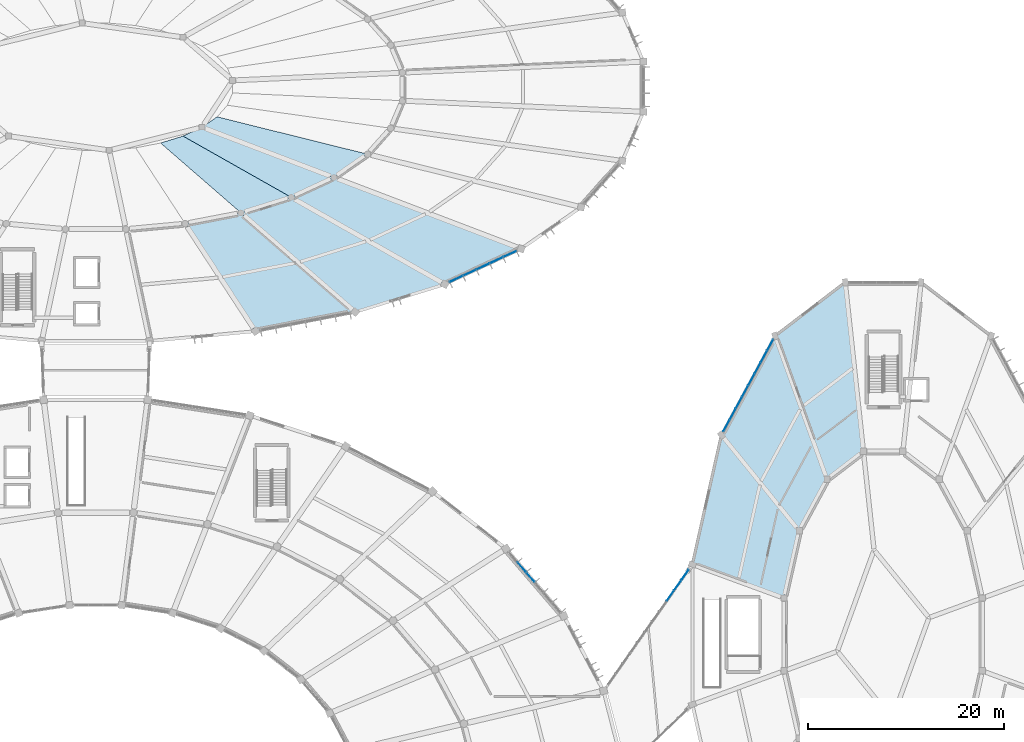
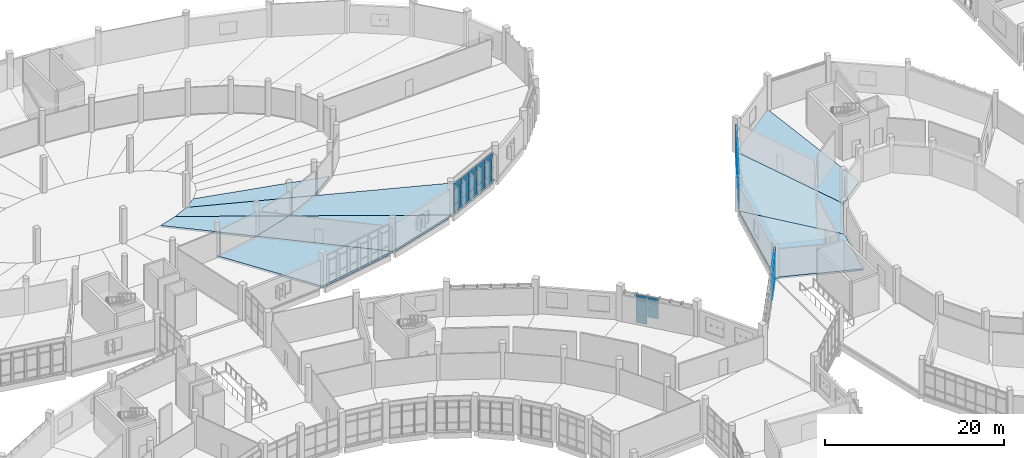
# One storey, part 104 of 179: 53 plates, 9 slabs, 4 elements without a shape of their own.
"""IFC4 building model written with IfcOpenShell, lengths in metres."""

from ifc_helpers import new_model, si_unit, direction, frame, origin, origin_2d, place, context, subcontext, project, spatial, polyline, rectangle, outline, extrude, material, layer, layer_set, type_object, element, aggregate, save


model = new_model("IFC4")

# Units and contexts
model_context = context("Model", 3, precision=1e-05, world=origin(), true_north=direction((0.0, 1.0)))
body_context = subcontext(model_context, "Body", "Model", "MODEL_VIEW")
ifc_project = project(units=[si_unit("LENGTHUNIT", "METRE"), si_unit("AREAUNIT", "SQUARE_METRE"), si_unit("VOLUMEUNIT", "CUBIC_METRE"), si_unit("PLANEANGLEUNIT", "RADIAN"), si_unit("MASSUNIT", "GRAM", prefix="KILO")], contexts=[model_context])

# Site, building, storey
site_placement = place(None, origin())
site = spatial("IfcSite", under=ifc_project, at=site_placement, CompositionType="ELEMENT")
building_placement = place(site_placement, origin())
building = spatial("IfcBuilding", under=site, at=building_placement, Name="Corvandel Quay Wholesale Market", CompositionType="ELEMENT")
storey_placement = place(building_placement, frame((0.0, 0.0, 6.0)))
storey = spatial("IfcBuildingStorey", under=building, at=storey_placement, Name="L01", CompositionType="ELEMENT", Elevation=6.0)

# Curtain wall, plates
ifc_material_1 = material(Name="Bronze anodised aluminium and low-E insulated glazing", Category="aluminium")
ifc_layer_1 = layer(ifc_material_1, 0.174072265625)
ifc_layer_set_1 = layer_set([ifc_layer_1], Name="Bronze anodised aluminium and low-E insulated glazing")
curtain_wall_type_1 = type_object("IfcCurtainWallType", Name="Stick Curtain Wall System CW07 H3630", PredefinedType="NOTDEFINED", material=ifc_layer_set_1)
curtain_wall_1_placement = place(storey_placement, origin())
curtain_wall_1 = element("IfcCurtainWall", 1, at=curtain_wall_1_placement, inside=storey, type_object=curtain_wall_type_1, Name="Curtain Wall CW-0006", PredefinedType="NOTDEFINED")
ifc_material_2 = material(Name="Solar-control low-E insulated glazing", Category="glass")
ifc_layer_2 = layer(ifc_material_2, 0.0400390625)
ifc_layer_set_2 = layer_set([ifc_layer_2], Name="Solar-control low-E insulated glazing")
plate_type_1 = type_object("IfcPlateType", Name="Ceramic Fritted Spandrel Panel PN03 40mm", PredefinedType="CURTAIN_PANEL", material=ifc_layer_set_2)
plate_1_placement = place(storey_placement, frame((158.4560546875, 65.849853515625, 3.1298828125), z_axis=(0.0, 0.0, 1.0), x_axis=(-0.651568967347, 0.758589401976, 0.0)))
plate_1 = element("IfcPlate", 2, at=plate_1_placement, type_object=plate_type_1, Name="Glazing Panel CW-0006-P03-2", PredefinedType="CURTAIN_PANEL", context=body_context, shape_type="SweptSolid", body=[
    extrude(rectangle(XDim=1.29638671875, YDim=0.0400390625, at=origin_2d()), origin(), (0.0, 0.0, 1.0), 0.7900390625),
])
plate_2_placement = place(storey_placement, frame((157.56884765625, 66.882568359375, 3.1298828125), z_axis=(0.0, 0.0, 1.0), x_axis=(-0.651568967347, 0.758589401976, 0.0)))
plate_2 = element("IfcPlate", 3, at=plate_2_placement, type_object=plate_type_1, Name="Glazing Panel CW-0006-P04-2", PredefinedType="CURTAIN_PANEL", context=body_context, shape_type="SweptSolid", body=[
    extrude(rectangle(XDim=1.29638671875, YDim=0.0400390625, at=origin_2d()), origin(), (0.0, 0.0, 1.0), 0.7900390625),
])

ifc_layer_3 = layer(ifc_material_1, 0.162109375)
ifc_layer_set_3 = layer_set([ifc_layer_3], Name="Bronze anodised aluminium and low-E insulated glazing")
curtain_wall_type_2 = type_object("IfcCurtainWallType", Name="Stick Curtain Wall System CW06 H3540", PredefinedType="NOTDEFINED", material=ifc_layer_set_3)
curtain_wall_2_placement = place(storey_placement, origin())
curtain_wall_2 = element("IfcCurtainWall", 4, at=curtain_wall_2_placement, inside=storey, type_object=curtain_wall_type_2, Name="Curtain Wall CW-0125", PredefinedType="NOTDEFINED")
plate_3_placement = place(storey_placement, frame((150.869873046875, 96.34814453125, 3.1298828125), z_axis=(0.0, 0.0, 1.0), x_axis=(0.906970515865, 0.421194115999, 0.0)))
plate_3 = element("IfcPlate", 5, at=plate_3_placement, type_object=plate_type_1, Name="Glazing Panel CW-0125-P00-2", PredefinedType="CURTAIN_PANEL", context=body_context, shape_type="SweptSolid", body=[
    extrude(rectangle(XDim=1.43896484375, YDim=0.0400390625, at=origin_2d()), origin(), (0.0, 0.0, 1.0), 0.7900390625),
])
plate_4_placement = place(storey_placement, frame((152.23388671875, 96.981689453125, 3.1298828125), z_axis=(0.0, 0.0, 1.0), x_axis=(0.906970515865, 0.421194115999, 0.0)))
plate_4 = element("IfcPlate", 6, at=plate_4_placement, type_object=plate_type_1, Name="Glazing Panel CW-0125-P01-2", PredefinedType="CURTAIN_PANEL", context=body_context, shape_type="SweptSolid", body=[
    extrude(rectangle(XDim=1.43896484375, YDim=0.0400390625, at=origin_2d()), origin(), (0.0, 0.0, 1.0), 0.7900390625),
])
plate_5_placement = place(storey_placement, frame((153.597900390625, 97.614990234375, 3.1298828125), z_axis=(0.0, 0.0, 1.0), x_axis=(0.906970515865, 0.421194115999, 0.0)))
plate_5 = element("IfcPlate", 7, at=plate_5_placement, type_object=plate_type_1, Name="Glazing Panel CW-0125-P02-2", PredefinedType="CURTAIN_PANEL", context=body_context, shape_type="SweptSolid", body=[
    extrude(rectangle(XDim=1.43896484375, YDim=0.0400390625, at=origin_2d()), origin(), (0.0, 0.0, 1.0), 0.7900390625),
])
plate_6_placement = place(storey_placement, frame((154.962158203125, 98.248291015625, 3.1298828125), z_axis=(0.0, 0.0, 1.0), x_axis=(0.906970515865, 0.421194115999, 0.0)))
plate_6 = element("IfcPlate", 8, at=plate_6_placement, type_object=plate_type_1, Name="Glazing Panel CW-0125-P03-2", PredefinedType="CURTAIN_PANEL", context=body_context, shape_type="SweptSolid", body=[
    extrude(rectangle(XDim=1.43896484375, YDim=0.0400390625, at=origin_2d()), origin(), (0.0, 0.0, 1.0), 0.7900390625),
])
plate_7_placement = place(storey_placement, frame((156.326171875, 98.8818359375, 3.1298828125), z_axis=(0.0, 0.0, 1.0), x_axis=(0.906970515865, 0.421194115999, 0.0)))
plate_7 = element("IfcPlate", 9, at=plate_7_placement, type_object=plate_type_1, Name="Glazing Panel CW-0125-P04-2", PredefinedType="CURTAIN_PANEL", context=body_context, shape_type="SweptSolid", body=[
    extrude(rectangle(XDim=1.43896484375, YDim=0.0400390625, at=origin_2d()), origin(), (0.0, 0.0, 1.0), 0.7900390625),
])

ifc_layer_4 = layer(ifc_material_1, 0.14990234375)
ifc_layer_set_4 = layer_set([ifc_layer_4], Name="Bronze anodised aluminium and low-E insulated glazing")
curtain_wall_type_3 = type_object("IfcCurtainWallType", Name="Stick Curtain Wall System CW15 H4350", PredefinedType="NOTDEFINED", material=ifc_layer_set_4)
curtain_wall_3_placement = place(storey_placement, origin())
curtain_wall_3 = element("IfcCurtainWall", 10, at=curtain_wall_3_placement, inside=storey, type_object=curtain_wall_type_3, Name="Curtain Wall CW-0134", PredefinedType="NOTDEFINED")
plate_8_placement = place(storey_placement, frame((182.944580078125, 89.578369140625, 3.1298828125), z_axis=(0.0, 0.0, 1.0), x_axis=(0.476238203668, 0.879316310191, 0.0)))
plate_8 = element("IfcPlate", 11, at=plate_8_placement, type_object=plate_type_1, Name="Glazing Panel CW-0134-P00-2", PredefinedType="CURTAIN_PANEL", context=body_context, shape_type="SweptSolid", body=[
    extrude(rectangle(XDim=1.274658203125, YDim=0.0400390625, at=origin_2d()), origin(), (0.0, 0.0, 1.0), 0.7900390625),
])
plate_9_placement = place(storey_placement, frame((182.306396484375, 88.400390625, 3.1298828125), z_axis=(0.0, 0.0, 1.0), x_axis=(0.476238203668, 0.879316310191, 0.0)))
plate_9 = element("IfcPlate", 12, at=plate_9_placement, type_object=plate_type_1, Name="Glazing Panel CW-0134-P01-2", PredefinedType="CURTAIN_PANEL", context=body_context, shape_type="SweptSolid", body=[
    extrude(rectangle(XDim=1.274658203125, YDim=0.0400390625, at=origin_2d()), origin(), (0.0, 0.0, 1.0), 0.7900390625),
])
plate_10_placement = place(storey_placement, frame((181.66845703125, 87.222412109375, 3.1298828125), z_axis=(0.0, 0.0, 1.0), x_axis=(0.476238203668, 0.879316310191, 0.0)))
plate_10 = element("IfcPlate", 13, at=plate_10_placement, type_object=plate_type_1, Name="Glazing Panel CW-0134-P02-2", PredefinedType="CURTAIN_PANEL", context=body_context, shape_type="SweptSolid", body=[
    extrude(rectangle(XDim=1.274658203125, YDim=0.0400390625, at=origin_2d()), origin(), (0.0, 0.0, 1.0), 0.7900390625),
])
plate_11_placement = place(storey_placement, frame((181.030517578125, 86.04443359375, 3.1298828125), z_axis=(0.0, 0.0, 1.0), x_axis=(0.476238203668, 0.879316310191, 0.0)))
plate_11 = element("IfcPlate", 14, at=plate_11_placement, type_object=plate_type_1, Name="Glazing Panel CW-0134-P03-2", PredefinedType="CURTAIN_PANEL", context=body_context, shape_type="SweptSolid", body=[
    extrude(rectangle(XDim=1.274658203125, YDim=0.0400390625, at=origin_2d()), origin(), (0.0, 0.0, 1.0), 0.7900390625),
])
plate_12_placement = place(storey_placement, frame((180.392578125, 84.866455078125, 3.1298828125), z_axis=(0.0, 0.0, 1.0), x_axis=(0.476238203668, 0.879316310191, 0.0)))
plate_12 = element("IfcPlate", 15, at=plate_12_placement, type_object=plate_type_1, Name="Glazing Panel CW-0134-P04-2", PredefinedType="CURTAIN_PANEL", context=body_context, shape_type="SweptSolid", body=[
    extrude(rectangle(XDim=1.274658203125, YDim=0.0400390625, at=origin_2d()), origin(), (0.0, 0.0, 1.0), 0.7900390625),
])
plate_13_placement = place(storey_placement, frame((179.75439453125, 83.688720703125, 3.1298828125), z_axis=(0.0, 0.0, 1.0), x_axis=(0.476238203668, 0.879316310191, 0.0)))
plate_13 = element("IfcPlate", 16, at=plate_13_placement, type_object=plate_type_1, Name="Glazing Panel CW-0134-P05-2", PredefinedType="CURTAIN_PANEL", context=body_context, shape_type="SweptSolid", body=[
    extrude(rectangle(XDim=1.274658203125, YDim=0.0400390625, at=origin_2d()), origin(), (0.0, 0.0, 1.0), 0.7900390625),
])
plate_14_placement = place(storey_placement, frame((179.116455078125, 82.510498046875, 3.1298828125), z_axis=(0.0, 0.0, 1.0), x_axis=(0.476238203668, 0.879316310191, 0.0)))
plate_14 = element("IfcPlate", 17, at=plate_14_placement, type_object=plate_type_1, Name="Glazing Panel CW-0134-P06-2", PredefinedType="CURTAIN_PANEL", context=body_context, shape_type="SweptSolid", body=[
    extrude(rectangle(XDim=1.274658203125, YDim=0.0400390625, at=origin_2d()), origin(), (0.0, 0.0, 1.0), 0.7900390625),
])
plate_15_placement = place(storey_placement, frame((178.478515625, 81.332763671875, 3.1298828125), z_axis=(0.0, 0.0, 1.0), x_axis=(0.476238203668, 0.879316310191, 0.0)))
plate_15 = element("IfcPlate", 18, at=plate_15_placement, type_object=plate_type_1, Name="Glazing Panel CW-0134-P07-2", PredefinedType="CURTAIN_PANEL", context=body_context, shape_type="SweptSolid", body=[
    extrude(rectangle(XDim=1.274658203125, YDim=0.0400390625, at=origin_2d()), origin(), (0.0, 0.0, 1.0), 0.7900390625),
])

ifc_layer_5 = layer(ifc_material_1, 0.162109375)
ifc_layer_set_5 = layer_set([ifc_layer_5], Name="Bronze anodised aluminium and low-E insulated glazing")
curtain_wall_type_4 = type_object("IfcCurtainWallType", Name="Stick Curtain Wall System CW26 H5340", PredefinedType="NOTDEFINED", material=ifc_layer_set_5)
curtain_wall_4_placement = place(storey_placement, origin())
curtain_wall_4 = element("IfcCurtainWall", 19, at=curtain_wall_4_placement, inside=storey, type_object=curtain_wall_type_4, Name="Curtain Wall CW-0177", PredefinedType="NOTDEFINED")
plate_16_placement = place(storey_placement, frame((172.745361328125, 63.953369140625, 3.7275390625), z_axis=(0.0, 0.0, 1.0), x_axis=(0.575148037348, 0.818049347616, 0.0)))
plate_16 = element("IfcPlate", 20, at=plate_16_placement, type_object=plate_type_1, Name="Glazing Panel CW-0177-P08-2", PredefinedType="CURTAIN_PANEL", context=body_context, shape_type="SweptSolid", body=[
    extrude(rectangle(XDim=1.2421875, YDim=0.0400390625, at=origin_2d()), origin(), (0.0, 0.0, 1.0), 0.794921875),
])
plate_17_placement = place(storey_placement, frame((173.494140625, 65.018798828125, 3.7275390625), z_axis=(0.0, 0.0, 1.0), x_axis=(0.575148037348, 0.818049347616, 0.0)))
plate_17 = element("IfcPlate", 21, at=plate_17_placement, type_object=plate_type_1, Name="Glazing Panel CW-0177-P09-2", PredefinedType="CURTAIN_PANEL", context=body_context, shape_type="SweptSolid", body=[
    extrude(rectangle(XDim=1.2421875, YDim=0.0400390625, at=origin_2d()), origin(), (0.0, 0.0, 1.0), 0.794921875),
])
plate_18_placement = place(storey_placement, frame((174.2431640625, 66.084228515625, 3.7275390625), z_axis=(0.0, 0.0, 1.0), x_axis=(0.575148037348, 0.818049347616, 0.0)))
plate_18 = element("IfcPlate", 22, at=plate_18_placement, type_object=plate_type_1, Name="Glazing Panel CW-0177-P10-2", PredefinedType="CURTAIN_PANEL", context=body_context, shape_type="SweptSolid", body=[
    extrude(rectangle(XDim=1.2421875, YDim=0.0400390625, at=origin_2d()), origin(), (0.0, 0.0, 1.0), 0.794921875),
])

# Slabs
ifc_material_3 = material(Name="Concrete C40/50", Category="concrete")
ifc_layer_6 = layer(ifc_material_3, 0.260009765625)
ifc_layer_set_6 = layer_set([ifc_layer_6], Name="Concrete C40/50")
slab_type_1 = type_object("IfcSlabType", Name="Composite Market Canteen Floor Slab 260", PredefinedType="FLOOR", material=ifc_layer_set_6)
slab_1_placement = place(storey_placement, frame((0.0, 0.0, -0.260009765625)))
element("IfcSlab", 23, at=slab_1_placement, inside=storey, type_object=slab_type_1, Name="Slab SLB-0357", PredefinedType="FLOOR", context=body_context, shape_type="SweptSolid", body=[
    extrude(outline(polyline([(120.631103515625, 110.239990234375), (122.924072265625, 110.950927734375), (133.990966796875, 104.69091796875), (128.85498046875, 103.096923828125), (120.631103515625, 110.239990234375)])), origin(), (0.0, 0.0, 1.0), 0.260009765625),
])
slab_2_placement = place(storey_placement, frame((0.0, 0.0, -0.260009765625)))
element("IfcSlab", 24, at=slab_2_placement, inside=storey, type_object=slab_type_1, Name="Slab SLB-0363", PredefinedType="FLOOR", context=body_context, shape_type="SweptSolid", body=[
    extrude(outline(polyline([(122.924072265625, 110.950927734375), (124.875, 111.85595703125), (138.35888671875, 106.718994140625), (133.990966796875, 104.69091796875), (122.924072265625, 110.950927734375)])), origin(), (0.0, 0.0, 1.0), 0.260009765625),
])
slab_3_placement = place(storey_placement, frame((0.0, 0.0, -0.260009765625)))
element("IfcSlab", 25, at=slab_3_placement, inside=storey, type_object=slab_type_1, Name="Slab SLB-0367", PredefinedType="FLOOR", context=body_context, shape_type="SweptSolid", body=[
    extrude(outline(polyline([(124.875, 111.85595703125), (126.406982421875, 112.9208984375), (141.791015625, 109.10302734375), (138.35888671875, 106.718994140625), (124.875, 111.85595703125)])), origin(), (0.0, 0.0, 1.0), 0.260009765625),
])
ifc_layer_7 = layer(ifc_material_3, 0.239990234375)
ifc_layer_set_7 = layer_set([ifc_layer_7], Name="Concrete C40/50")
slab_type_2 = type_object("IfcSlabType", Name="Composite Raked Auction Tier Slab 240", PredefinedType="FLOOR", material=ifc_layer_set_7)
slab_4_placement = place(storey_placement, frame((0.0, 0.0, -0.239990234375)))
element("IfcSlab", 26, at=slab_4_placement, inside=storey, type_object=slab_type_2, Name="Slab SLB-0400", PredefinedType="FLOOR", context=body_context, shape_type="SweptSolid", body=[
    extrude(outline(polyline([(192.48291015625, 78.719970703125), (188.756103515625, 75.8701171875), (183.4541015625, 90.51904296875), (190.62109375, 96.0), (192.48291015625, 78.719970703125)])), origin(), (0.0, 0.0, 1.0), 0.239990234375),
])
slab_5_placement = place(storey_placement, frame((0.0, 0.0, -0.239990234375)))
element("IfcSlab", 27, at=slab_5_placement, inside=storey, type_object=slab_type_2, Name="Slab SLB-0404", PredefinedType="FLOOR", context=body_context, shape_type="SweptSolid", body=[
    extrude(outline(polyline([(188.756103515625, 75.8701171875), (185.904052734375, 70.60400390625), (177.968994140625, 80.39208984375), (183.4541015625, 90.51904296875), (188.756103515625, 75.8701171875)])), origin(), (0.0, 0.0, 1.0), 0.239990234375),
])
slab_6_placement = place(storey_placement, frame((0.0, 0.0, -0.239990234375)))
element("IfcSlab", 28, at=slab_6_placement, inside=storey, type_object=slab_type_2, Name="Slab SLB-0408", PredefinedType="FLOOR", context=body_context, shape_type="SweptSolid", body=[
    extrude(outline(polyline([(185.904052734375, 70.60400390625), (184.360107421875, 63.72412109375), (175.0, 67.160888671875), (177.968994140625, 80.39208984375), (185.904052734375, 70.60400390625)])), origin(), (0.0, 0.0, 1.0), 0.239990234375),
])
ifc_layer_8 = layer(ifc_material_3, 0.280029296875)
ifc_layer_set_8 = layer_set([ifc_layer_8], Name="Concrete C40/50")
slab_type_3 = type_object("IfcSlabType", Name="Composite Sorting Gallery Floor Slab 280", PredefinedType="FLOOR", material=ifc_layer_set_8)
slab_7_placement = place(storey_placement, frame((0.0, 0.0, -0.280029296875)))
element("IfcSlab", 29, at=slab_7_placement, inside=storey, type_object=slab_type_3, Name="Slab SLB-0350", PredefinedType="FLOOR", context=body_context, shape_type="SweptSolid", body=[
    extrude(outline(polyline([(123.14697265625, 102.0), (128.85498046875, 103.096923828125), (140.52587890625, 92.958984375), (130.3349609375, 90.9990234375), (123.14697265625, 102.0)])), origin(), (0.0, 0.0, 1.0), 0.280029296875),
])
slab_8_placement = place(storey_placement, frame((0.0, 0.0, -0.280029296875)))
element("IfcSlab", 30, at=slab_8_placement, inside=storey, type_object=slab_type_3, Name="Slab SLB-0356", PredefinedType="FLOOR", context=body_context, shape_type="SweptSolid", body=[
    extrude(outline(polyline([(128.85498046875, 103.096923828125), (133.990966796875, 104.69091796875), (149.697998046875, 95.803955078125), (140.52587890625, 92.958984375), (128.85498046875, 103.096923828125)])), origin(), (0.0, 0.0, 1.0), 0.280029296875),
])
slab_9_placement = place(storey_placement, frame((0.0, 0.0, -0.280029296875)))
element("IfcSlab", 31, at=slab_9_placement, inside=storey, type_object=slab_type_3, Name="Slab SLB-0362", PredefinedType="FLOOR", context=body_context, shape_type="SweptSolid", body=[
    extrude(outline(polyline([(133.990966796875, 104.69091796875), (138.35888671875, 106.718994140625), (157.498046875, 99.426025390625), (149.697998046875, 95.803955078125), (133.990966796875, 104.69091796875)])), origin(), (0.0, 0.0, 1.0), 0.280029296875),
])

# Plate
ifc_layer_9 = layer(ifc_material_2, 0.028076171875)
ifc_layer_set_9 = layer_set([ifc_layer_9], Name="Solar-control low-E insulated glazing")
plate_type_2 = type_object("IfcPlateType", Name="Double Low-E Vision Panel PN01 28mm", PredefinedType="CURTAIN_PANEL", material=ifc_layer_set_9)
plate_19_placement = place(storey_placement, frame((158.4560546875, 65.849853515625, 1.080078125), z_axis=(0.0, 0.0, 1.0), x_axis=(-0.651568967347, 0.758589401976, 0.0)))
plate_19 = element("IfcPlate", 32, at=plate_19_placement, type_object=plate_type_2, Name="Glazing Panel CW-0006-P03-1", PredefinedType="CURTAIN_PANEL", context=body_context, shape_type="SweptSolid", body=[
    extrude(rectangle(XDim=1.29638671875, YDim=0.028076171875, at=origin_2d()), origin(), (0.0, 0.0, 1.0), 1.989990234375),
])

plate_20_placement = place(storey_placement, frame((157.56884765625, 66.882568359375, 0.02978515625), z_axis=(0.0, 0.0, 1.0), x_axis=(-0.651568967347, 0.758589401976, 0.0)))
plate_20 = element("IfcPlate", 33, at=plate_20_placement, type_object=plate_type_2, Name="Glazing Panel CW-0006-P04-0", PredefinedType="CURTAIN_PANEL", context=body_context, shape_type="SweptSolid", body=[
    extrude(rectangle(XDim=1.29638671875, YDim=0.028076171875, at=origin_2d()), origin(), (0.0, 0.0, 1.0), 0.989990234375),
])

plate_21_placement = place(storey_placement, frame((157.56884765625, 66.882568359375, 1.080078125), z_axis=(0.0, 0.0, 1.0), x_axis=(-0.651568967347, 0.758589401976, 0.0)))
plate_21 = element("IfcPlate", 34, at=plate_21_placement, type_object=plate_type_2, Name="Glazing Panel CW-0006-P04-1", PredefinedType="CURTAIN_PANEL", context=body_context, shape_type="SweptSolid", body=[
    extrude(rectangle(XDim=1.29638671875, YDim=0.028076171875, at=origin_2d()), origin(), (0.0, 0.0, 1.0), 1.989990234375),
])

aggregate(curtain_wall_1, [plate_19, plate_1, plate_20, plate_21, plate_2])

plate_22_placement = place(storey_placement, frame((150.869873046875, 96.34814453125, 0.02978515625), z_axis=(0.0, 0.0, 1.0), x_axis=(0.906970515865, 0.421194115999, 0.0)))
plate_22 = element("IfcPlate", 35, at=plate_22_placement, type_object=plate_type_2, Name="Glazing Panel CW-0125-P00-0", PredefinedType="CURTAIN_PANEL", context=body_context, shape_type="SweptSolid", body=[
    extrude(rectangle(XDim=1.43896484375, YDim=0.028076171875, at=origin_2d()), origin(), (0.0, 0.0, 1.0), 0.989990234375),
])

plate_23_placement = place(storey_placement, frame((150.869873046875, 96.34814453125, 1.080078125), z_axis=(0.0, 0.0, 1.0), x_axis=(0.906970515865, 0.421194115999, 0.0)))
plate_23 = element("IfcPlate", 36, at=plate_23_placement, type_object=plate_type_2, Name="Glazing Panel CW-0125-P00-1", PredefinedType="CURTAIN_PANEL", context=body_context, shape_type="SweptSolid", body=[
    extrude(rectangle(XDim=1.43896484375, YDim=0.028076171875, at=origin_2d()), origin(), (0.0, 0.0, 1.0), 1.989990234375),
])

plate_24_placement = place(storey_placement, frame((152.23388671875, 96.981689453125, 0.02978515625), z_axis=(0.0, 0.0, 1.0), x_axis=(0.906970515865, 0.421194115999, 0.0)))
plate_24 = element("IfcPlate", 37, at=plate_24_placement, type_object=plate_type_2, Name="Glazing Panel CW-0125-P01-0", PredefinedType="CURTAIN_PANEL", context=body_context, shape_type="SweptSolid", body=[
    extrude(rectangle(XDim=1.43896484375, YDim=0.028076171875, at=origin_2d()), origin(), (0.0, 0.0, 1.0), 0.989990234375),
])

plate_25_placement = place(storey_placement, frame((152.23388671875, 96.981689453125, 1.080078125), z_axis=(0.0, 0.0, 1.0), x_axis=(0.906970515865, 0.421194115999, 0.0)))
plate_25 = element("IfcPlate", 38, at=plate_25_placement, type_object=plate_type_2, Name="Glazing Panel CW-0125-P01-1", PredefinedType="CURTAIN_PANEL", context=body_context, shape_type="SweptSolid", body=[
    extrude(rectangle(XDim=1.43896484375, YDim=0.028076171875, at=origin_2d()), origin(), (0.0, 0.0, 1.0), 1.989990234375),
])

plate_26_placement = place(storey_placement, frame((153.597900390625, 97.614990234375, 0.02978515625), z_axis=(0.0, 0.0, 1.0), x_axis=(0.906970515865, 0.421194115999, 0.0)))
plate_26 = element("IfcPlate", 39, at=plate_26_placement, type_object=plate_type_2, Name="Glazing Panel CW-0125-P02-0", PredefinedType="CURTAIN_PANEL", context=body_context, shape_type="SweptSolid", body=[
    extrude(rectangle(XDim=1.43896484375, YDim=0.028076171875, at=origin_2d()), origin(), (0.0, 0.0, 1.0), 0.989990234375),
])

plate_27_placement = place(storey_placement, frame((153.597900390625, 97.614990234375, 1.080078125), z_axis=(0.0, 0.0, 1.0), x_axis=(0.906970515865, 0.421194115999, 0.0)))
plate_27 = element("IfcPlate", 40, at=plate_27_placement, type_object=plate_type_2, Name="Glazing Panel CW-0125-P02-1", PredefinedType="CURTAIN_PANEL", context=body_context, shape_type="SweptSolid", body=[
    extrude(rectangle(XDim=1.43896484375, YDim=0.028076171875, at=origin_2d()), origin(), (0.0, 0.0, 1.0), 1.989990234375),
])

plate_28_placement = place(storey_placement, frame((154.962158203125, 98.248291015625, 0.02978515625), z_axis=(0.0, 0.0, 1.0), x_axis=(0.906970515865, 0.421194115999, 0.0)))
plate_28 = element("IfcPlate", 41, at=plate_28_placement, type_object=plate_type_2, Name="Glazing Panel CW-0125-P03-0", PredefinedType="CURTAIN_PANEL", context=body_context, shape_type="SweptSolid", body=[
    extrude(rectangle(XDim=1.43896484375, YDim=0.028076171875, at=origin_2d()), origin(), (0.0, 0.0, 1.0), 0.989990234375),
])

plate_29_placement = place(storey_placement, frame((154.962158203125, 98.248291015625, 1.080078125), z_axis=(0.0, 0.0, 1.0), x_axis=(0.906970515865, 0.421194115999, 0.0)))
plate_29 = element("IfcPlate", 42, at=plate_29_placement, type_object=plate_type_2, Name="Glazing Panel CW-0125-P03-1", PredefinedType="CURTAIN_PANEL", context=body_context, shape_type="SweptSolid", body=[
    extrude(rectangle(XDim=1.43896484375, YDim=0.028076171875, at=origin_2d()), origin(), (0.0, 0.0, 1.0), 1.989990234375),
])

plate_30_placement = place(storey_placement, frame((156.326171875, 98.8818359375, 0.02978515625), z_axis=(0.0, 0.0, 1.0), x_axis=(0.906970515865, 0.421194115999, 0.0)))
plate_30 = element("IfcPlate", 43, at=plate_30_placement, type_object=plate_type_2, Name="Glazing Panel CW-0125-P04-0", PredefinedType="CURTAIN_PANEL", context=body_context, shape_type="SweptSolid", body=[
    extrude(rectangle(XDim=1.43896484375, YDim=0.028076171875, at=origin_2d()), origin(), (0.0, 0.0, 1.0), 0.989990234375),
])

plate_31_placement = place(storey_placement, frame((156.326171875, 98.8818359375, 1.080078125), z_axis=(0.0, 0.0, 1.0), x_axis=(0.906970515865, 0.421194115999, 0.0)))
plate_31 = element("IfcPlate", 44, at=plate_31_placement, type_object=plate_type_2, Name="Glazing Panel CW-0125-P04-1", PredefinedType="CURTAIN_PANEL", context=body_context, shape_type="SweptSolid", body=[
    extrude(rectangle(XDim=1.43896484375, YDim=0.028076171875, at=origin_2d()), origin(), (0.0, 0.0, 1.0), 1.989990234375),
])

aggregate(curtain_wall_2, [plate_22, plate_23, plate_3, plate_24, plate_25, plate_4, plate_26, plate_27, plate_5, plate_28, plate_29, plate_6, plate_30, plate_31, plate_7])

plate_32_placement = place(storey_placement, frame((182.944580078125, 89.578369140625, 0.02978515625), z_axis=(0.0, 0.0, 1.0), x_axis=(0.476238203668, 0.879316310191, 0.0)))
plate_32 = element("IfcPlate", 45, at=plate_32_placement, type_object=plate_type_2, Name="Glazing Panel CW-0134-P00-0", PredefinedType="CURTAIN_PANEL", context=body_context, shape_type="SweptSolid", body=[
    extrude(rectangle(XDim=1.274658203125, YDim=0.028076171875, at=origin_2d()), origin(), (0.0, 0.0, 1.0), 0.989990234375),
])

plate_33_placement = place(storey_placement, frame((182.944580078125, 89.578369140625, 1.080078125), z_axis=(0.0, 0.0, 1.0), x_axis=(0.476238203668, 0.879316310191, 0.0)))
plate_33 = element("IfcPlate", 46, at=plate_33_placement, type_object=plate_type_2, Name="Glazing Panel CW-0134-P00-1", PredefinedType="CURTAIN_PANEL", context=body_context, shape_type="SweptSolid", body=[
    extrude(rectangle(XDim=1.274658203125, YDim=0.028076171875, at=origin_2d()), origin(), (0.0, 0.0, 1.0), 1.989990234375),
])

plate_34_placement = place(storey_placement, frame((182.306396484375, 88.400390625, 0.02978515625), z_axis=(0.0, 0.0, 1.0), x_axis=(0.476238203668, 0.879316310191, 0.0)))
plate_34 = element("IfcPlate", 47, at=plate_34_placement, type_object=plate_type_2, Name="Glazing Panel CW-0134-P01-0", PredefinedType="CURTAIN_PANEL", context=body_context, shape_type="SweptSolid", body=[
    extrude(rectangle(XDim=1.274658203125, YDim=0.028076171875, at=origin_2d()), origin(), (0.0, 0.0, 1.0), 0.989990234375),
])

plate_35_placement = place(storey_placement, frame((182.306396484375, 88.400390625, 1.080078125), z_axis=(0.0, 0.0, 1.0), x_axis=(0.476238203668, 0.879316310191, 0.0)))
plate_35 = element("IfcPlate", 48, at=plate_35_placement, type_object=plate_type_2, Name="Glazing Panel CW-0134-P01-1", PredefinedType="CURTAIN_PANEL", context=body_context, shape_type="SweptSolid", body=[
    extrude(rectangle(XDim=1.274658203125, YDim=0.028076171875, at=origin_2d()), origin(), (0.0, 0.0, 1.0), 1.989990234375),
])

plate_36_placement = place(storey_placement, frame((181.66845703125, 87.222412109375, 0.02978515625), z_axis=(0.0, 0.0, 1.0), x_axis=(0.476238203668, 0.879316310191, 0.0)))
plate_36 = element("IfcPlate", 49, at=plate_36_placement, type_object=plate_type_2, Name="Glazing Panel CW-0134-P02-0", PredefinedType="CURTAIN_PANEL", context=body_context, shape_type="SweptSolid", body=[
    extrude(rectangle(XDim=1.274658203125, YDim=0.028076171875, at=origin_2d()), origin(), (0.0, 0.0, 1.0), 0.989990234375),
])

plate_37_placement = place(storey_placement, frame((181.66845703125, 87.222412109375, 1.080078125), z_axis=(0.0, 0.0, 1.0), x_axis=(0.476238203668, 0.879316310191, 0.0)))
plate_37 = element("IfcPlate", 50, at=plate_37_placement, type_object=plate_type_2, Name="Glazing Panel CW-0134-P02-1", PredefinedType="CURTAIN_PANEL", context=body_context, shape_type="SweptSolid", body=[
    extrude(rectangle(XDim=1.274658203125, YDim=0.028076171875, at=origin_2d()), origin(), (0.0, 0.0, 1.0), 1.989990234375),
])

plate_38_placement = place(storey_placement, frame((181.030517578125, 86.04443359375, 0.02978515625), z_axis=(0.0, 0.0, 1.0), x_axis=(0.476238203668, 0.879316310191, 0.0)))
plate_38 = element("IfcPlate", 51, at=plate_38_placement, type_object=plate_type_2, Name="Glazing Panel CW-0134-P03-0", PredefinedType="CURTAIN_PANEL", context=body_context, shape_type="SweptSolid", body=[
    extrude(rectangle(XDim=1.274658203125, YDim=0.028076171875, at=origin_2d()), origin(), (0.0, 0.0, 1.0), 0.989990234375),
])

plate_39_placement = place(storey_placement, frame((181.030517578125, 86.04443359375, 1.080078125), z_axis=(0.0, 0.0, 1.0), x_axis=(0.476238203668, 0.879316310191, 0.0)))
plate_39 = element("IfcPlate", 52, at=plate_39_placement, type_object=plate_type_2, Name="Glazing Panel CW-0134-P03-1", PredefinedType="CURTAIN_PANEL", context=body_context, shape_type="SweptSolid", body=[
    extrude(rectangle(XDim=1.274658203125, YDim=0.028076171875, at=origin_2d()), origin(), (0.0, 0.0, 1.0), 1.989990234375),
])

plate_40_placement = place(storey_placement, frame((180.392578125, 84.866455078125, 0.02978515625), z_axis=(0.0, 0.0, 1.0), x_axis=(0.476238203668, 0.879316310191, 0.0)))
plate_40 = element("IfcPlate", 53, at=plate_40_placement, type_object=plate_type_2, Name="Glazing Panel CW-0134-P04-0", PredefinedType="CURTAIN_PANEL", context=body_context, shape_type="SweptSolid", body=[
    extrude(rectangle(XDim=1.274658203125, YDim=0.028076171875, at=origin_2d()), origin(), (0.0, 0.0, 1.0), 0.989990234375),
])

plate_41_placement = place(storey_placement, frame((180.392578125, 84.866455078125, 1.080078125), z_axis=(0.0, 0.0, 1.0), x_axis=(0.476238203668, 0.879316310191, 0.0)))
plate_41 = element("IfcPlate", 54, at=plate_41_placement, type_object=plate_type_2, Name="Glazing Panel CW-0134-P04-1", PredefinedType="CURTAIN_PANEL", context=body_context, shape_type="SweptSolid", body=[
    extrude(rectangle(XDim=1.274658203125, YDim=0.028076171875, at=origin_2d()), origin(), (0.0, 0.0, 1.0), 1.989990234375),
])

plate_42_placement = place(storey_placement, frame((179.75439453125, 83.688720703125, 0.02978515625), z_axis=(0.0, 0.0, 1.0), x_axis=(0.476238203668, 0.879316310191, 0.0)))
plate_42 = element("IfcPlate", 55, at=plate_42_placement, type_object=plate_type_2, Name="Glazing Panel CW-0134-P05-0", PredefinedType="CURTAIN_PANEL", context=body_context, shape_type="SweptSolid", body=[
    extrude(rectangle(XDim=1.274658203125, YDim=0.028076171875, at=origin_2d()), origin(), (0.0, 0.0, 1.0), 0.989990234375),
])

plate_43_placement = place(storey_placement, frame((179.75439453125, 83.688720703125, 1.080078125), z_axis=(0.0, 0.0, 1.0), x_axis=(0.476238203668, 0.879316310191, 0.0)))
plate_43 = element("IfcPlate", 56, at=plate_43_placement, type_object=plate_type_2, Name="Glazing Panel CW-0134-P05-1", PredefinedType="CURTAIN_PANEL", context=body_context, shape_type="SweptSolid", body=[
    extrude(rectangle(XDim=1.274658203125, YDim=0.028076171875, at=origin_2d()), origin(), (0.0, 0.0, 1.0), 1.989990234375),
])

plate_44_placement = place(storey_placement, frame((179.116455078125, 82.510498046875, 0.02978515625), z_axis=(0.0, 0.0, 1.0), x_axis=(0.476238203668, 0.879316310191, 0.0)))
plate_44 = element("IfcPlate", 57, at=plate_44_placement, type_object=plate_type_2, Name="Glazing Panel CW-0134-P06-0", PredefinedType="CURTAIN_PANEL", context=body_context, shape_type="SweptSolid", body=[
    extrude(rectangle(XDim=1.274658203125, YDim=0.028076171875, at=origin_2d()), origin(), (0.0, 0.0, 1.0), 0.989990234375),
])

plate_45_placement = place(storey_placement, frame((179.116455078125, 82.510498046875, 1.080078125), z_axis=(0.0, 0.0, 1.0), x_axis=(0.476238203668, 0.879316310191, 0.0)))
plate_45 = element("IfcPlate", 58, at=plate_45_placement, type_object=plate_type_2, Name="Glazing Panel CW-0134-P06-1", PredefinedType="CURTAIN_PANEL", context=body_context, shape_type="SweptSolid", body=[
    extrude(rectangle(XDim=1.274658203125, YDim=0.028076171875, at=origin_2d()), origin(), (0.0, 0.0, 1.0), 1.989990234375),
])

plate_46_placement = place(storey_placement, frame((178.478515625, 81.332763671875, 0.02978515625), z_axis=(0.0, 0.0, 1.0), x_axis=(0.476238203668, 0.879316310191, 0.0)))
plate_46 = element("IfcPlate", 59, at=plate_46_placement, type_object=plate_type_2, Name="Glazing Panel CW-0134-P07-0", PredefinedType="CURTAIN_PANEL", context=body_context, shape_type="SweptSolid", body=[
    extrude(rectangle(XDim=1.274658203125, YDim=0.028076171875, at=origin_2d()), origin(), (0.0, 0.0, 1.0), 0.989990234375),
])

plate_47_placement = place(storey_placement, frame((178.478515625, 81.332763671875, 1.080078125), z_axis=(0.0, 0.0, 1.0), x_axis=(0.476238203668, 0.879316310191, 0.0)))
plate_47 = element("IfcPlate", 60, at=plate_47_placement, type_object=plate_type_2, Name="Glazing Panel CW-0134-P07-1", PredefinedType="CURTAIN_PANEL", context=body_context, shape_type="SweptSolid", body=[
    extrude(rectangle(XDim=1.274658203125, YDim=0.028076171875, at=origin_2d()), origin(), (0.0, 0.0, 1.0), 1.989990234375),
])

aggregate(curtain_wall_3, [plate_32, plate_33, plate_8, plate_34, plate_35, plate_9, plate_36, plate_37, plate_10, plate_38, plate_39, plate_11, plate_40, plate_41, plate_12, plate_42, plate_43, plate_13, plate_44, plate_45, plate_14, plate_46, plate_47, plate_15])

plate_48_placement = place(storey_placement, frame((172.745361328125, 63.953369140625, -0.00244140625), z_axis=(0.0, 0.0, 1.0), x_axis=(0.575148037348, 0.818049347616, 0.0)))
plate_48 = element("IfcPlate", 61, at=plate_48_placement, type_object=plate_type_2, Name="Glazing Panel CW-0177-P08-0", PredefinedType="CURTAIN_PANEL", context=body_context, shape_type="SweptSolid", body=[
    extrude(rectangle(XDim=1.2421875, YDim=0.028076171875, at=origin_2d()), origin(), (0.0, 0.0, 1.0), 0.9951171875),
])

plate_49_placement = place(storey_placement, frame((172.745361328125, 63.953369140625, 1.047607421875), z_axis=(0.0, 0.0, 1.0), x_axis=(0.575148037348, 0.818049347616, 0.0)))
plate_49 = element("IfcPlate", 62, at=plate_49_placement, type_object=plate_type_2, Name="Glazing Panel CW-0177-P08-1", PredefinedType="CURTAIN_PANEL", context=body_context, shape_type="SweptSolid", body=[
    extrude(rectangle(XDim=1.2421875, YDim=0.028076171875, at=origin_2d()), origin(), (0.0, 0.0, 1.0), 2.625),
])

plate_50_placement = place(storey_placement, frame((173.494140625, 65.018798828125, -0.00244140625), z_axis=(0.0, 0.0, 1.0), x_axis=(0.575148037348, 0.818049347616, 0.0)))
plate_50 = element("IfcPlate", 63, at=plate_50_placement, type_object=plate_type_2, Name="Glazing Panel CW-0177-P09-0", PredefinedType="CURTAIN_PANEL", context=body_context, shape_type="SweptSolid", body=[
    extrude(rectangle(XDim=1.2421875, YDim=0.028076171875, at=origin_2d()), origin(), (0.0, 0.0, 1.0), 0.9951171875),
])

plate_51_placement = place(storey_placement, frame((173.494140625, 65.018798828125, 1.047607421875), z_axis=(0.0, 0.0, 1.0), x_axis=(0.575148037348, 0.818049347616, 0.0)))
plate_51 = element("IfcPlate", 64, at=plate_51_placement, type_object=plate_type_2, Name="Glazing Panel CW-0177-P09-1", PredefinedType="CURTAIN_PANEL", context=body_context, shape_type="SweptSolid", body=[
    extrude(rectangle(XDim=1.2421875, YDim=0.028076171875, at=origin_2d()), origin(), (0.0, 0.0, 1.0), 2.625),
])

plate_52_placement = place(storey_placement, frame((174.2431640625, 66.084228515625, -0.00244140625), z_axis=(0.0, 0.0, 1.0), x_axis=(0.575148037348, 0.818049347616, 0.0)))
plate_52 = element("IfcPlate", 65, at=plate_52_placement, type_object=plate_type_2, Name="Glazing Panel CW-0177-P10-0", PredefinedType="CURTAIN_PANEL", context=body_context, shape_type="SweptSolid", body=[
    extrude(rectangle(XDim=1.2421875, YDim=0.028076171875, at=origin_2d()), origin(), (0.0, 0.0, 1.0), 0.9951171875),
])

plate_53_placement = place(storey_placement, frame((174.2431640625, 66.084228515625, 1.047607421875), z_axis=(0.0, 0.0, 1.0), x_axis=(0.575148037348, 0.818049347616, 0.0)))
plate_53 = element("IfcPlate", 66, at=plate_53_placement, type_object=plate_type_2, Name="Glazing Panel CW-0177-P10-1", PredefinedType="CURTAIN_PANEL", context=body_context, shape_type="SweptSolid", body=[
    extrude(rectangle(XDim=1.2421875, YDim=0.028076171875, at=origin_2d()), origin(), (0.0, 0.0, 1.0), 2.625),
])

aggregate(curtain_wall_4, [plate_48, plate_49, plate_16, plate_50, plate_51, plate_17, plate_52, plate_53, plate_18])

save(model, "model.ifc")
